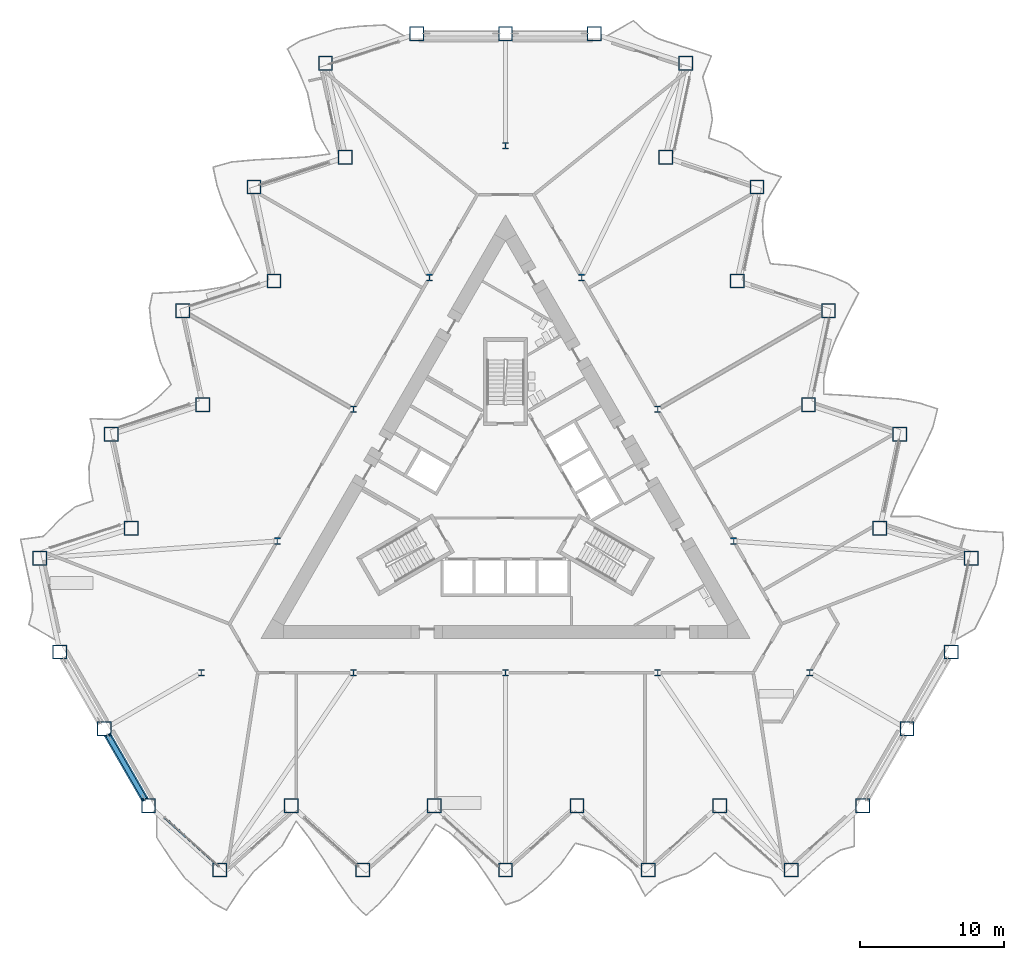
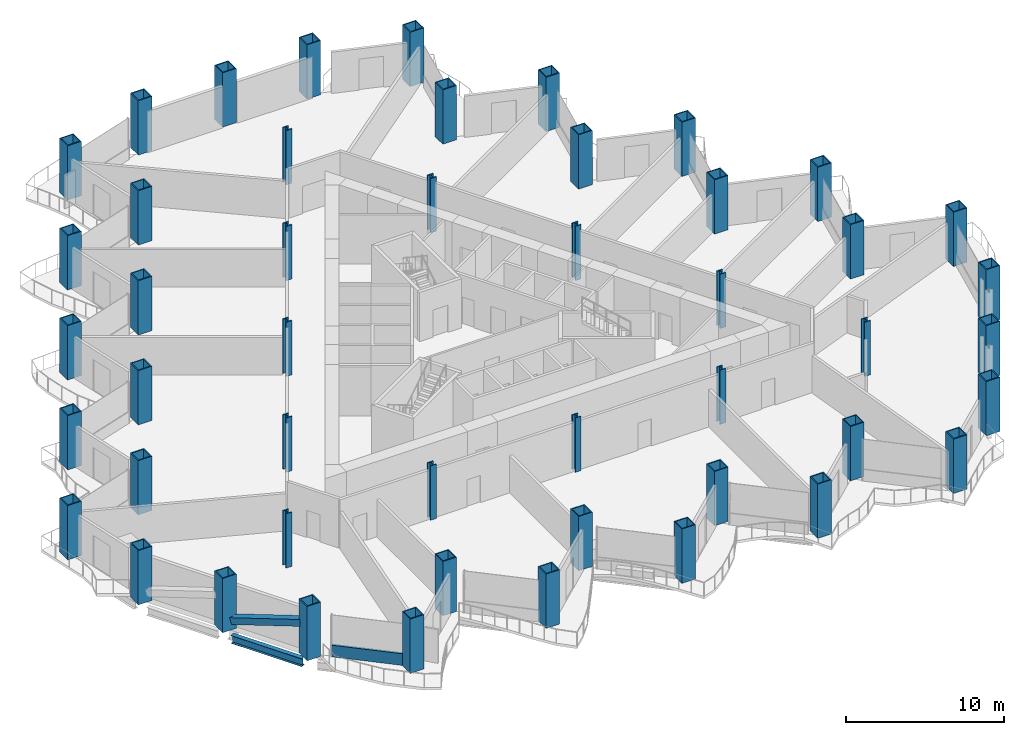
# One storey, part 1 of 21: 48 columns, 2 members, 1 beam, 1 element without a shape of its own.
"""IFC4 building model written with IfcOpenShell, lengths in metres."""

import ifcopenshell
import ifcopenshell.guid

model = None  # the IFC model being written
_history = None  # IfcOwnerHistory: only IFC2X3 demands one
_inside = {}  # id of a spatial element -> (the spatial element, [elements in it])
_under = {}  # id of a project, library or spatial element -> (it, [spatial elements below it])
_declared = {}  # id of a project -> (the project, [libraries it declares])
_typed = {}  # id of a type object -> (the type object, [elements of that type])
_made_of = {}  # id of a material, layer set ... -> (it, [elements and type objects made of it])


def new_model(schema):
    """Start an empty IFC model of exactly this schema.

    Asked for "IFC4X3", IfcOpenShell would pick the latest addendum, in which some entities
    have other attributes; the version numbers below select the first issue.
    IFC2X3 requires an IfcOwnerHistory on every rooted entity: one is made here for all.
    """
    global model, _history
    if schema == "IFC4X3":
        model = ifcopenshell.file(schema_version=(4, 3, 0, 0))
    else:
        model = ifcopenshell.file(schema=schema)
    _inside.clear()
    _under.clear()
    _declared.clear()
    _typed.clear()
    _made_of.clear()
    _history = None
    if model.schema == "IFC2X3":
        org = make("IfcOrganization", Name="unknown")
        user = make(
            "IfcPersonAndOrganization",
            ThePerson=make("IfcPerson", FamilyName="unknown"),
            TheOrganization=org,
        )
        app = make(
            "IfcApplication",
            ApplicationDeveloper=org,
            Version="unknown",
            ApplicationFullName="unknown",
            ApplicationIdentifier="unknown",
        )
        _history = make(
            "IfcOwnerHistory",
            OwningUser=user,
            OwningApplication=app,
            ChangeAction="ADDED",
            CreationDate=0,
        )
    return model


def make(cls, **values):
    """One entity of the class cls with the attributes given. An attribute that is None is left unset."""
    return model.create_entity(
        cls, **{name: value for name, value in values.items() if value is not None}
    )


def rooted(cls, **values):
    """An entity with a GlobalId (a new one), such as an element, a storey or a relation."""
    return make(cls, GlobalId=ifcopenshell.guid.new(), OwnerHistory=_history, **values)


def si_unit(unit_type, name, prefix=None):
    """IfcSIUnit, for example si_unit("LENGTHUNIT", "METRE", prefix="MILLI")."""
    return make("IfcSIUnit", UnitType=unit_type, Prefix=prefix, Name=name)


def assignment(units):
    """IfcUnitAssignment: the units of a project."""
    return None if units is None else make("IfcUnitAssignment", Units=units)


def point(xyz):
    """IfcCartesianPoint."""
    return None if xyz is None else make("IfcCartesianPoint", Coordinates=xyz)


def direction(xyz):
    """IfcDirection."""
    return None if xyz is None else make("IfcDirection", DirectionRatios=xyz)


def frame(location, z_axis=None, x_axis=None):
    """IfcAxis2Placement3D, a coordinate frame: its origin and axes. An axis left out is left unset."""
    return make(
        "IfcAxis2Placement3D",
        Location=point(location),
        Axis=direction(z_axis),
        RefDirection=direction(x_axis),
    )


def frame_2d(location, x_axis=None):
    """IfcAxis2Placement2D, a coordinate frame in the plane: its origin and x axis."""
    return make(
        "IfcAxis2Placement2D", Location=point(location), RefDirection=direction(x_axis)
    )


def origin():
    """The frame at (0, 0, 0) with its axes left unset."""
    return frame((0.0, 0.0, 0.0))


def origin_2d():
    """The frame at (0, 0) in the plane with its x axis left unset."""
    return frame_2d((0.0, 0.0))


def place(relative_to, where):
    """IfcLocalPlacement: puts the frame where relative to a parent placement (None: the world)."""
    return make(
        "IfcLocalPlacement", PlacementRelTo=relative_to, RelativePlacement=where
    )


def context(
    kind, dimensions, precision=None, world=None, true_north=None, identifier=None
):
    """IfcGeometricRepresentationContext, for example the 3D "Model" context."""
    return make(
        "IfcGeometricRepresentationContext",
        ContextIdentifier=identifier,
        ContextType=kind,
        CoordinateSpaceDimension=dimensions,
        Precision=precision,
        WorldCoordinateSystem=world,
        TrueNorth=true_north,
    )


def subcontext(parent, identifier, kind, view, scale=None):
    """IfcGeometricRepresentationSubContext, for example "Body" below "Model"."""
    return make(
        "IfcGeometricRepresentationSubContext",
        ContextIdentifier=identifier,
        ContextType=kind,
        ParentContext=parent,
        TargetScale=scale,
        TargetView=view,
    )


def project(units=None, contexts=None):
    """IfcProject with its units and contexts."""
    return rooted(
        "IfcProject",
        Name="project",
        RepresentationContexts=contexts,
        UnitsInContext=assignment(units),
    )


def spatial(cls, under=None, at=None, **own):
    """A site, building, storey or space (cls), placed at a placement, below another one or the project."""
    s = rooted(cls, ObjectPlacement=at, **own)
    if under is not None:
        _under.setdefault(under.id(), (under, []))[1].append(s)
    return s


def profile(cls, at=None, kind="AREA", **sizes):
    """A parametric profile (cls). Its sizes go by their IFC names, for example OverallWidth=200.0."""
    return make(cls, ProfileType=kind, Position=at, **sizes)


def rectangle(**sizes):
    """IfcRectangleProfileDef."""
    return profile("IfcRectangleProfileDef", **sizes)


def hollow_rectangle(**sizes):
    """IfcRectangleHollowProfileDef."""
    return profile("IfcRectangleHollowProfileDef", **sizes)


def i_section(**sizes):
    """IfcIShapeProfileDef."""
    return profile("IfcIShapeProfileDef", **sizes)


def extrude(swept, where, along, depth):
    """IfcExtrudedAreaSolid: the profile swept, set in the frame where, extruded along a direction by depth."""
    return make(
        "IfcExtrudedAreaSolid",
        SweptArea=swept,
        Position=where,
        ExtrudedDirection=direction(along),
        Depth=depth,
    )


def shape(context_of_items, identifier, shape_type, items):
    """IfcShapeRepresentation: the items that make up one representation, for example the "Body"."""
    return make(
        "IfcShapeRepresentation",
        ContextOfItems=context_of_items,
        RepresentationIdentifier=identifier,
        RepresentationType=shape_type,
        Items=items,
    )


def material(Name=None, Category=None):
    """IfcMaterial."""
    return make("IfcMaterial", Name=Name, Category=Category)


def layer(
    of_material, thickness, ventilated=None, Name=None, Category=None, Priority=None
):
    """IfcMaterialLayer: one layer of a wall or slab, of a material (None: an air gap)."""
    return make(
        "IfcMaterialLayer",
        Material=of_material,
        LayerThickness=thickness,
        IsVentilated=ventilated,
        Name=Name,
        Category=Category,
        Priority=Priority,
    )


def layer_set(layers, Name=None):
    """IfcMaterialLayerSet."""
    return make("IfcMaterialLayerSet", MaterialLayers=layers, LayerSetName=Name)


def material_profile(
    of_material, cross_section, Name=None, Category=None, Priority=None
):
    """IfcMaterialProfile: a cross section and its material."""
    return make(
        "IfcMaterialProfile",
        Name=Name,
        Material=of_material,
        Profile=cross_section,
        Priority=Priority,
        Category=Category,
    )


def profile_set(profiles, Name=None, composite=None):
    """IfcMaterialProfileSet."""
    return make(
        "IfcMaterialProfileSet",
        Name=Name,
        MaterialProfiles=profiles,
        CompositeProfile=composite,
    )


def made_of(thing, what):
    """Note that an element or type object is made of a material, layer set ...; save() writes the relation."""
    if what is not None:
        _made_of.setdefault(what.id(), (what, []))[1].append(thing)
    return thing


def type_object(cls, material=None, **own):
    """A type object (cls), such as IfcWallType, which elements share."""
    return made_of(rooted(cls, **own), material)


def element(
    cls,
    number,
    at=None,
    inside=None,
    cuts=None,
    type_object=None,
    material=None,
    context=None,
    identifier="Body",
    shape_type=None,
    held_by="IfcProductDefinitionShape",
    body=None,
    shapes=None,
    **own,
):
    """One element of the class cls, such as IfcWall. Its Tag is "e" and its number.

    at: its placement. inside: the storey or other place that contains it. cuts: it is an
    opening in that element (IfcRelVoidsElement). A single representation is given by context,
    identifier, shape_type and body (its items); several are given by shapes. held_by: the class
    of the entity that holds the representations. save() writes the other relations.
    """
    e = rooted(cls, Tag="e%d" % number, ObjectPlacement=at, **own)
    if body is not None:
        shapes = [shape(context, identifier, shape_type, body)]
    if shapes is not None:
        e.Representation = make(held_by, Representations=shapes)
    if inside is not None:
        _inside.setdefault(inside.id(), (inside, []))[1].append(e)
    if cuts is not None:
        rooted(
            "IfcRelVoidsElement", RelatingBuildingElement=cuts, RelatedOpeningElement=e
        )
    if type_object is not None:
        _typed.setdefault(type_object.id(), (type_object, []))[1].append(e)
    return made_of(e, material)


def aggregate(whole, parts):
    """IfcRelAggregates: a whole, such as a stair, and the parts it consists of."""
    return rooted("IfcRelAggregates", RelatingObject=whole, RelatedObjects=parts)


def save(model, path):
    """Write the relations noted so far, then the file.

    IfcRelAggregates (storeys below a building ...), IfcRelContainedInSpatialStructure (elements
    in a storey), IfcRelDefinesByType, IfcRelAssociatesMaterial and IfcRelDeclares: one each for
    every whole, place, type object, material and project.
    """
    for whole, parts in _under.values():
        aggregate(whole, parts)
    for where, things in _inside.values():
        rooted(
            "IfcRelContainedInSpatialStructure",
            RelatedElements=things,
            RelatingStructure=where,
        )
    for kind, things in _typed.values():
        rooted("IfcRelDefinesByType", RelatedObjects=things, RelatingType=kind)
    for what, things in _made_of.values():
        rooted("IfcRelAssociatesMaterial", RelatedObjects=things, RelatingMaterial=what)
    for by, libraries in _declared.values():
        rooted("IfcRelDeclares", RelatingContext=by, RelatedDefinitions=libraries)
    model.write(path)


model = new_model("IFC4")

# Units and contexts
model_context = context("Model", 3, precision=1e-05, world=origin(), true_north=direction((0.0, 1.0)))
body_context = subcontext(model_context, "Body", "Model", "MODEL_VIEW")
ifc_project = project(units=[si_unit("LENGTHUNIT", "METRE"), si_unit("AREAUNIT", "SQUARE_METRE"), si_unit("VOLUMEUNIT", "CUBIC_METRE"), si_unit("PLANEANGLEUNIT", "RADIAN"), si_unit("MASSUNIT", "GRAM", prefix="KILO")], contexts=[model_context])

# Site, building, storey
site_placement = place(None, origin())
site = spatial("IfcSite", under=ifc_project, at=site_placement, CompositionType="ELEMENT")
building_placement = place(site_placement, origin())
building = spatial("IfcBuilding", under=site, at=building_placement, Name="Cormorant Prow Tower", CompositionType="ELEMENT")
storey_placement = place(building_placement, frame((0.0, 0.0, 42.60009765625)))
storey = spatial("IfcBuildingStorey", under=building, at=storey_placement, Name="L08", CompositionType="ELEMENT", Elevation=42.60009765625)

# Columns
ifc_material_1 = material(Name="Structural steel ASTM A572 Gr 50", Category="steel")
ifc_material_profile_1 = material_profile(ifc_material_1, hollow_rectangle(XDim=1.0, YDim=1.0, WallThickness=0.070068359375, at=origin_2d()), Name="Box 1000x1000x70")
ifc_profile_set_1 = profile_set([ifc_material_profile_1], Name="Structural steel ASTM A572 Gr 50")
column_type_1 = type_object("IfcColumnType", Name="Perimeter box column 1000x1000x70", PredefinedType="COLUMN", material=ifc_profile_set_1)
for number, where, z_axis, x_axis, name in (
    (1, (-24.830322265625, -21.4599609375, 0.0), (0.0, 0.0, 1.0), (1.0, 0.0, 0.0), "Perimeter column C2 at S00 L08"),
    (2, (-19.8642578125, -25.931396484375, 0.0), (0.0, 0.0, 1.0), (1.0, 0.0, 0.0), "Perimeter column C2 at S01 L08"),
    (3, (-14.898193359375, -21.4599609375, 0.0), (0.0, 0.0, 1.0), (1.0, 0.0, 0.0), "Perimeter column C2 at S02 L08"),
    (4, (-9.93212890625, -25.931396484375, 0.0), (0.0, 0.0, 1.0), (1.0, 0.0, 0.0), "Perimeter column C2 at S03 L08"),
    (5, (-4.966064453125, -21.4599609375, 0.0), (0.0, 0.0, 1.0), (1.0, 0.0, 0.0), "Perimeter column C2 at S04 L08"),
    (6, (0.0, -25.931396484375, 0.0), (0.0, 0.0, 1.0), (1.0, 0.0, 0.0), "Perimeter column C2 at S05 L08"),
    (7, (4.966064453125, -21.4599609375, 0.0), (0.0, 0.0, 1.0), (1.0, 0.0, 0.0), "Perimeter column C2 at S06 L08"),
    (8, (9.93212890625, -25.931396484375, 0.0), (0.0, 0.0, 1.0), (1.0, 0.0, 0.0), "Perimeter column C2 at S07 L08"),
    (9, (14.898193359375, -21.4599609375, 0.0), (0.0, 0.0, 1.0), (1.0, 0.0, 0.0), "Perimeter column C2 at S08 L08"),
    (10, (19.8642578125, -25.931396484375, 0.0), (0.0, 0.0, 1.0), (1.0, 0.0, 0.0), "Perimeter column C2 at S09 L08"),
    (11, (24.830322265625, -21.4599609375, 0.0), (0.0, 0.0, 1.0), (1.0, 0.0, 0.0), "Perimeter column C2 at ESE00 L08"),
    (12, (27.915283203125, -16.116943359375, 0.0), (0.0, 0.0, 1.0), (1.0, 0.0, 0.0), "Perimeter column C2 at ESE01 L08"),
    (13, (31.0, -10.773681640625, 0.0), (0.0, 0.0, 1.0), (1.0, 0.0, 0.0), "Perimeter column C2 at ENE00 L08"),
    (14, (32.389404296875, -4.2373046875, 0.0), (0.0, 0.0, 1.0), (1.0, 0.0, 0.0), "Perimeter column C2 at ENE01 L08"),
    (15, (26.033935546875, -2.17236328125, 0.0), (0.0, 0.0, 1.0), (1.0, 0.0, 0.0), "Perimeter column C2 at ENE02 L08"),
    (16, (27.42333984375, 4.3642578125, 0.0), (0.0, 0.0, 1.0), (1.0, 0.0, 0.0), "Perimeter column C2 at ENE03 L08"),
    (17, (21.06787109375, 6.42919921875, 0.0), (0.0, 0.0, 1.0), (1.0, 0.0, 0.0), "Perimeter column C2 at ENE04 L08"),
    (18, (22.457275390625, 12.965576171875, 0.0), (0.0, 0.0, 1.0), (1.0, 0.0, 0.0), "Perimeter column C2 at ENE05 L08"),
    (19, (16.101806640625, 15.03076171875, 0.0), (0.0, 0.0, 1.0), (1.0, 0.0, 0.0), "Perimeter column C2 at ENE06 L08"),
    (20, (17.4912109375, 21.567138671875, 0.0), (0.0, 0.0, 1.0), (1.0, 0.0, 0.0), "Perimeter column C2 at ENE07 L08"),
    (21, (11.1357421875, 23.632080078125, 0.0), (0.0, 0.0, 1.0), (1.0, 0.0, 0.0), "Perimeter column C2 at ENE08 L08"),
    (22, (12.525146484375, 30.168701171875, 0.0), (0.0, 0.0, 1.0), (1.0, 0.0, 0.0), "Perimeter column C2 at ENE09 L08"),
    (23, (6.169677734375, 32.233642578125, 0.0), (0.0, 0.0, 1.0), (1.0, 0.0, 0.0), "Perimeter column C2 at N00 L08"),
    (24, (0.0, 32.233642578125, 0.0), (0.0, 0.0, 1.0), (1.0, 0.0, 0.0), "Perimeter column C2 at N01 L08"),
    (25, (-6.169677734375, 32.233642578125, 0.0), (0.0, 0.0, 1.0), (1.0, 0.0, 0.0), "Perimeter column C2 at WNW00 L08"),
    (26, (-12.525146484375, 30.168701171875, 0.0), (0.0, 0.0, 1.0), (1.0, 0.0, 0.0), "Perimeter column C2 at WNW01 L08"),
    (27, (-11.1357421875, 23.632080078125, 0.0), (0.0, 0.0, 1.0), (1.0, 0.0, 0.0), "Perimeter column C2 at WNW02 L08"),
    (28, (-17.4912109375, 21.567138671875, 0.0), (0.0, 0.0, 1.0), (1.0, 0.0, 0.0), "Perimeter column C2 at WNW03 L08"),
    (29, (-16.101806640625, 15.03076171875, 0.0), (0.0, 0.0, 1.0), (1.0, 0.0, 0.0), "Perimeter column C2 at WNW04 L08"),
    (30, (-22.457275390625, 12.965576171875, 0.0), (0.0, 0.0, 1.0), (1.0, 0.0, 0.0), "Perimeter column C2 at WNW05 L08"),
    (31, (-21.06787109375, 6.42919921875, 0.0), (0.0, 0.0, 1.0), (1.0, 0.0, 0.0), "Perimeter column C2 at WNW06 L08"),
    (32, (-27.42333984375, 4.3642578125, 0.0), (0.0, 0.0, 1.0), (1.0, 0.0, 0.0), "Perimeter column C2 at WNW07 L08"),
    (33, (-26.033935546875, -2.17236328125, 0.0), (0.0, 0.0, 1.0), (1.0, 0.0, 0.0), "Perimeter column C2 at WNW08 L08"),
    (34, (-32.389404296875, -4.2373046875, 0.0), (0.0, 0.0, 1.0), (1.0, 0.0, 0.0), "Perimeter column C2 at WNW09 L08"),
    (35, (-31.0, -10.773681640625, 0.0), (0.0, 0.0, 1.0), (1.0, 0.0, 0.0), "Perimeter column C2 at WSW00 L08"),
    (36, (-27.915283203125, -16.116943359375, 0.0), (0.0, 0.0, 1.0), (1.0, 0.0, 0.0), "Perimeter column C2 at WSW01 L08"),
):
    element("IfcColumn", number, at=place(storey_placement, frame(where, z_axis=z_axis, x_axis=x_axis)), inside=storey, type_object=column_type_1, Name=name, PredefinedType="COLUMN", context=body_context, shape_type="SweptSolid", body=[
        extrude(hollow_rectangle(XDim=1.0, YDim=1.0, WallThickness=0.070068359375, at=origin_2d()), origin(), (0.0, 0.0, 1.0), 4.199951171875),
    ])
ifc_material_2 = material(Name="Structural steel ASTM A992 Gr 50", Category="steel")
ifc_material_profile_2 = material_profile(ifc_material_2, i_section(OverallWidth=0.42138671875, OverallDepth=0.464599609375, WebThickness=0.044921875, FlangeThickness=0.072265625, at=origin_2d()), Name="W14x398")
ifc_profile_set_2 = profile_set([ifc_material_profile_2], Name="Structural steel ASTM A992 Gr 50")
column_type_2 = type_object("IfcColumnType", Name="Ring column W14x398", PredefinedType="COLUMN", material=ifc_profile_set_2)
for number, where, z_axis, x_axis, name in (
    (37, (0.0, 24.429931640625, 0.0), (0.0, 0.0, 1.0), (1.0, 0.0, 0.0), "Ring column 1 L08"),
    (38, (-5.289306640625, 15.268798828125, 0.0), (0.0, 0.0, 1.0), (1.0, 0.0, 0.0), "Ring column 2 L08"),
    (39, (-10.578369140625, 6.107421875, 0.0), (0.0, 0.0, 1.0), (1.0, 0.0, 0.0), "Ring column 3 L08"),
    (40, (-15.86767578125, -3.0537109375, 0.0), (0.0, 0.0, 1.0), (1.0, 0.0, 0.0), "Ring column 4 L08"),
    (41, (-21.156982421875, -12.21484375, 0.0), (0.0, 0.0, 1.0), (1.0, 0.0, 0.0), "Ring column 5 L08"),
    (42, (-10.578369140625, -12.21484375, 0.0), (0.0, 0.0, 1.0), (1.0, 0.0, 0.0), "Ring column 6 L08"),
    (43, (0.0, -12.21484375, 0.0), (0.0, 0.0, 1.0), (1.0, 0.0, 0.0), "Ring column 7 L08"),
    (44, (10.578369140625, -12.21484375, 0.0), (0.0, 0.0, 1.0), (1.0, 0.0, 0.0), "Ring column 8 L08"),
    (45, (21.156982421875, -12.21484375, 0.0), (0.0, 0.0, 1.0), (1.0, 0.0, 0.0), "Ring column 9 L08"),
    (46, (15.86767578125, -3.0537109375, 0.0), (0.0, 0.0, 1.0), (1.0, 0.0, 0.0), "Ring column 10 L08"),
    (47, (10.578369140625, 6.107421875, 0.0), (0.0, 0.0, 1.0), (1.0, 0.0, 0.0), "Ring column 11 L08"),
    (48, (5.289306640625, 15.268798828125, 0.0), (0.0, 0.0, 1.0), (1.0, 0.0, 0.0), "Ring column 12 L08"),
):
    element("IfcColumn", number, at=place(storey_placement, frame(where, z_axis=z_axis, x_axis=x_axis)), inside=storey, type_object=column_type_2, Name=name, PredefinedType="COLUMN", context=body_context, shape_type="SweptSolid", body=[
        extrude(i_section(OverallWidth=0.42138671875, OverallDepth=0.464599609375, WebThickness=0.044921875, FlangeThickness=0.072265625, at=origin_2d()), origin(), (0.0, 0.0, 1.0), 4.199951171875),
    ])

# Member
ifc_material_3 = material(Name="Structural steel ASTM A500 Gr C", Category="steel")
ifc_material_profile_3 = material_profile(ifc_material_3, hollow_rectangle(XDim=0.508056640625, YDim=0.508056640625, WallThickness=0.014892578125, at=origin_2d()), Name="HSS20x20x5/8")
ifc_profile_set_3 = profile_set([ifc_material_profile_3], Name="Structural steel ASTM A500 Gr C")
member_type_1 = type_object("IfcMemberType", Name="Chamfer brace HSS20x20x5/8", PredefinedType="BRACE", material=ifc_profile_set_3)
member_1_placement = place(storey_placement, frame((-27.65576171875, -16.566162109375, 0.76708984375), z_axis=(0.47589308504, -0.824244468952, 0.306833549359), x_axis=(0.866018434186, 0.500012071504, 0.0)))
element("IfcMember", 49, at=member_1_placement, inside=storey, type_object=member_type_1, Name="Chamfer brace BR1 at WSW01 L08", PredefinedType="BRACE", context=body_context, shape_type="SweptSolid", body=[
    extrude(hollow_rectangle(XDim=0.508056640625, YDim=0.508056640625, WallThickness=0.014892578125, at=origin_2d()), origin(), (0.0, 0.0, 1.0), 5.392333984375),
])

# Curtain wall, member
ifc_material_4 = material(Name="Aluminium 6063-T6", Category="aluminium")
ifc_layer = layer(ifc_material_4, 0.199951171875)
ifc_layer_set = layer_set([ifc_layer], Name="Aluminium 6063-T6")
curtain_wall_type = type_object("IfcCurtainWallType", Name="Office unitised curtain wall 200", PredefinedType="NOTDEFINED", material=ifc_layer_set)
curtain_wall_placement = place(storey_placement, origin())
curtain_wall = element("IfcCurtainWall", 50, at=curtain_wall_placement, inside=storey, type_object=curtain_wall_type, Name="Office curtain wall S00", PredefinedType="NOTDEFINED")
ifc_material_5 = material(Name="Terracotta", Category="masonry")
ifc_material_profile_4 = material_profile(ifc_material_5, rectangle(XDim=0.159912109375, YDim=0.89990234375, at=origin_2d()), Name="Office terracotta spandrel rail 160x900")
ifc_profile_set_4 = profile_set([ifc_material_profile_4], Name="Terracotta")
member_type_2 = type_object("IfcMemberType", Name="Office terracotta spandrel rail 160x900", PredefinedType="USERDEFINED", material=ifc_profile_set_4)
member_2_placement = place(storey_placement, frame((-23.6962890625, -22.2978515625, 0.449951171875), z_axis=(0.743140700473, -0.669135187612, 0.0), x_axis=(0.669135187612, 0.743140700473, 0.0)))
member_2 = element("IfcMember", 51, at=member_2_placement, type_object=member_type_2, Name="Office spandrel rail S00", ObjectType="TRANSOM", PredefinedType="USERDEFINED", context=body_context, shape_type="SweptSolid", body=[
    extrude(rectangle(XDim=0.159912109375, YDim=0.89990234375, at=origin_2d()), origin(), (0.0, 0.0, 1.0), 5.06396484375),
])
aggregate(curtain_wall, [member_2])

# Beam
ifc_material_6 = material(Name="Structural steel ASTM A992 Gr 50", Category="steel")
ifc_material_profile_5 = material_profile(ifc_material_6, i_section(OverallWidth=0.32373046875, OverallDepth=0.611083984375, WebThickness=0.0126953125, FlangeThickness=0.01904296875, at=origin_2d()), Name="W24x104")
ifc_profile_set_5 = profile_set([ifc_material_profile_5], Name="Structural steel ASTM A992 Gr 50")
beam_type = type_object("IfcBeamType", Name="Spandrel beam W24x104", PredefinedType="SPANDREL", material=ifc_profile_set_5)
beam_placement = place(storey_placement, frame((-27.665283203125, -16.5498046875, -0.70556640625), z_axis=(0.500019507279, -0.866014140959, 0.0), x_axis=(0.866014140959, 0.500019507279, 0.0)))
element("IfcBeam", 52, at=beam_placement, inside=storey, type_object=beam_type, Name="Spandrel beam SB1 WSW01-S00 L08", PredefinedType="SPANDREL", context=body_context, shape_type="SweptSolid", body=[
    extrude(i_section(OverallWidth=0.32373046875, OverallDepth=0.611083984375, WebThickness=0.0126953125, FlangeThickness=0.01904296875, at=origin_2d()), origin(), (0.0, 0.0, 1.0), 5.169677734375),
])

save(model, "model.ifc")
